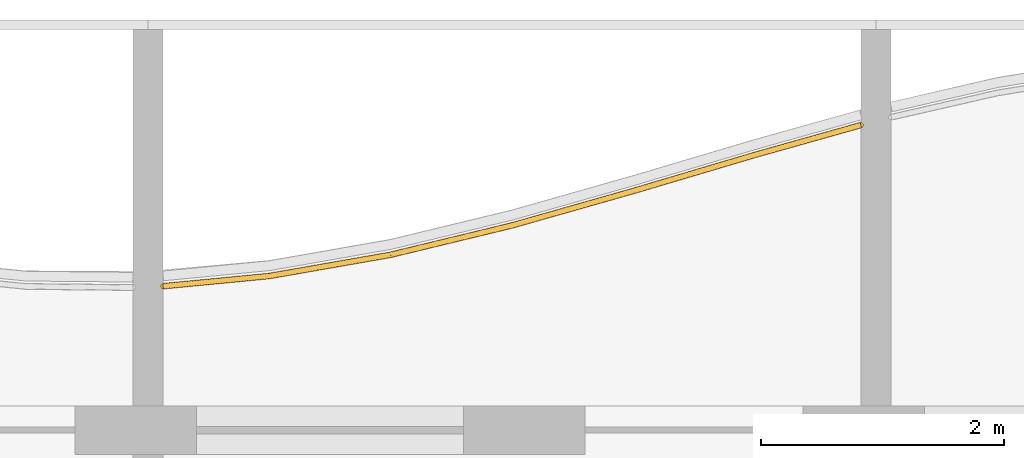
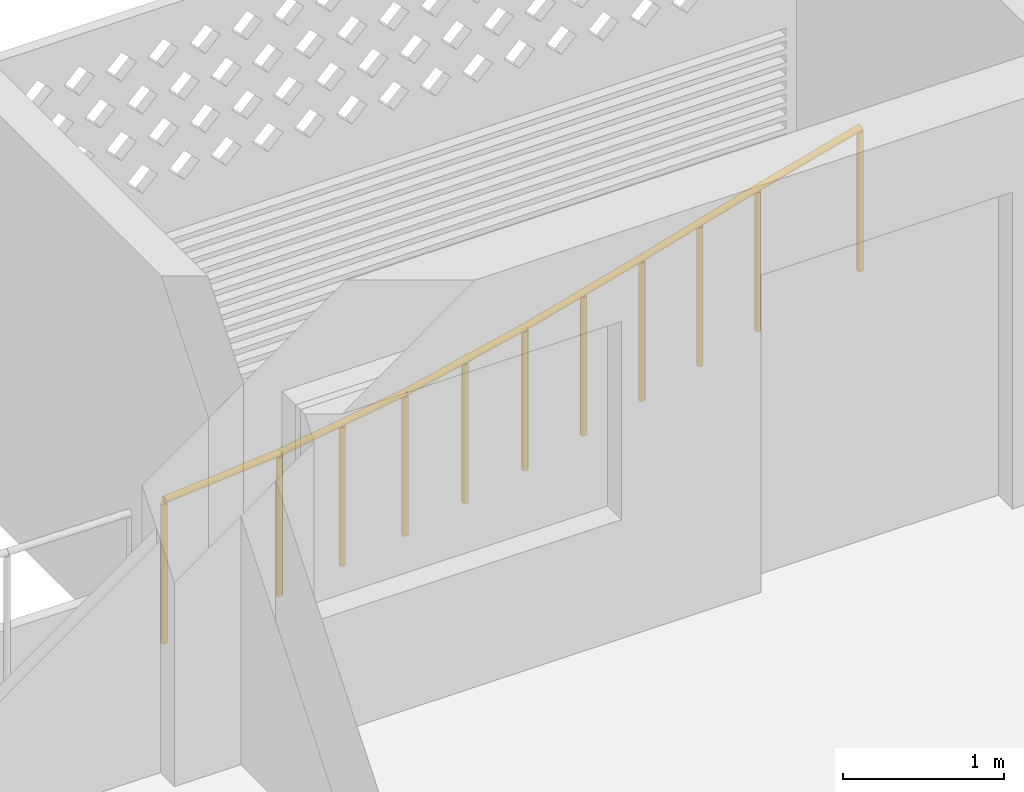
# One storey, part 23 of 26: 1 railing.
"""IFC4 building model written with IfcOpenShell, lengths in metres."""

from ifc_helpers import new_model, si_unit, direction, frame, origin, origin_2d, place, context, subcontext, project, spatial, circle, extrude, material, type_object, element, save


model = new_model("IFC4")

# Units and contexts
model_context = context("Model", 3, precision=1e-05, world=origin(), true_north=direction((0.0, 1.0)))
body_context = subcontext(model_context, "Body", "Model", "MODEL_VIEW")
ifc_project = project(units=[si_unit("LENGTHUNIT", "METRE"), si_unit("AREAUNIT", "SQUARE_METRE"), si_unit("VOLUMEUNIT", "CUBIC_METRE"), si_unit("PLANEANGLEUNIT", "RADIAN"), si_unit("MASSUNIT", "GRAM", prefix="KILO")], contexts=[model_context])

# Site, building, storey
site_placement = place(None, origin())
site = spatial("IfcSite", under=ifc_project, at=site_placement, CompositionType="ELEMENT")
building_placement = place(site_placement, origin())
building = spatial("IfcBuilding", under=site, at=building_placement, Name="Poui Terraces", CompositionType="ELEMENT")
storey_placement = place(building_placement, frame((0.0, 0.0, 228.0)))
storey = spatial("IfcBuildingStorey", under=building, at=storey_placement, Name="L63", CompositionType="ELEMENT", Elevation=228.0)

# Railing
ifc_material = material(Name="Painted steel fretwork", Category="steel")
railing_type = type_object("IfcRailingType", Name="BALCONY GUARD 1100", PredefinedType="GUARDRAIL", material=ifc_material)
railing_placement = place(storey_placement, frame((66.125, 42.38623046875, 0.0)))
element("IfcRailing", 1, at=railing_placement, inside=storey, type_object=railing_type, Name="BALCONY GUARD", PredefinedType="GUARDRAIL", context=body_context, shape_type="SweptSolid", body=[
    extrude(circle(Radius=0.02392578125, at=origin_2d()), frame((0.0, 0.0, 1.076171875), z_axis=(0.995425298545, 0.095543053209, 0.0), x_axis=(-0.095543053209, 0.995425298545, 0.0)), (0.0, 0.0, 1.0), 0.87890625),
    extrude(circle(Radius=0.02392578125, at=origin_2d()), frame((0.875, 0.083984375, 1.076171875), z_axis=(0.985022299221, 0.172426999156, 0.0), x_axis=(-0.172426999156, 0.985022299221, 0.0)), (0.0, 0.0, 1.0), 1.01513671875),
    extrude(circle(Radius=0.02392578125, at=origin_2d()), frame((1.875, 0.259033203125, 1.076171875), z_axis=(0.97195702449, 0.235158547673, 0.0), x_axis=(-0.235158547673, 0.97195702449, 0.0)), (0.0, 0.0, 1.0), 1.02880859375),
    extrude(circle(Radius=0.02392578125, at=origin_2d()), frame((2.875, 0.5009765625, 1.076171875), z_axis=(0.961974635381, 0.273138794177, 0.0), x_axis=(-0.273138794177, 0.961974635381, 0.0)), (0.0, 0.0, 1.0), 1.03955078125),
    extrude(circle(Radius=0.02392578125, at=origin_2d()), frame((3.875, 0.784912109375, 1.076171875), z_axis=(0.958710700624, 0.284383179018, 0.0), x_axis=(-0.284383179018, 0.958710700624, 0.0)), (0.0, 0.0, 1.0), 1.04296875),
    extrude(circle(Radius=0.02392578125, at=origin_2d()), frame((4.875, 1.08154296875, 1.076171875), z_axis=(0.962650940154, 0.270745576918, 0.0), x_axis=(-0.270745576918, 0.962650940154, 0.0)), (0.0, 0.0, 1.0), 0.908935546875),
    extrude(circle(Radius=0.02099609375, at=origin_2d()), origin(), (0.0, 0.0, 1.0), 1.052001953125),
    extrude(circle(Radius=0.02099609375, at=origin_2d()), frame((0.875, 0.083984375, 0.0)), (0.0, 0.0, 1.0), 1.052001953125),
    extrude(circle(Radius=0.02099609375, at=origin_2d()), frame((1.375, 0.17138671875, 0.0)), (0.0, 0.0, 1.0), 1.052001953125),
    extrude(circle(Radius=0.02099609375, at=origin_2d()), frame((1.875, 0.259033203125, 0.0)), (0.0, 0.0, 1.0), 1.052001953125),
    extrude(circle(Radius=0.02099609375, at=origin_2d()), frame((2.375, 0.3798828125, 0.0)), (0.0, 0.0, 1.0), 1.052001953125),
    extrude(circle(Radius=0.02099609375, at=origin_2d()), frame((2.875, 0.5009765625, 0.0)), (0.0, 0.0, 1.0), 1.052001953125),
    extrude(circle(Radius=0.02099609375, at=origin_2d()), frame((3.375, 0.64306640625, 0.0)), (0.0, 0.0, 1.0), 1.052001953125),
    extrude(circle(Radius=0.02099609375, at=origin_2d()), frame((3.875, 0.784912109375, 0.0)), (0.0, 0.0, 1.0), 1.052001953125),
    extrude(circle(Radius=0.02099609375, at=origin_2d()), frame((4.375, 0.93310546875, 0.0)), (0.0, 0.0, 1.0), 1.052001953125),
    extrude(circle(Radius=0.02099609375, at=origin_2d()), frame((4.875, 1.08154296875, 0.0)), (0.0, 0.0, 1.0), 1.052001953125),
    extrude(circle(Radius=0.02099609375, at=origin_2d()), frame((5.75, 1.32763671875, 0.0)), (0.0, 0.0, 1.0), 1.052001953125),
])

save(model, "model.ifc")
